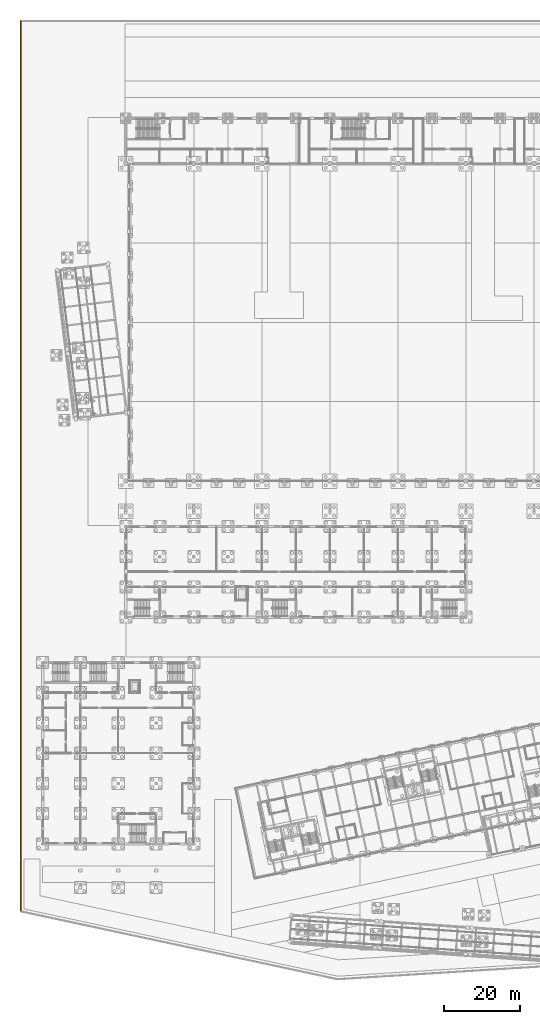
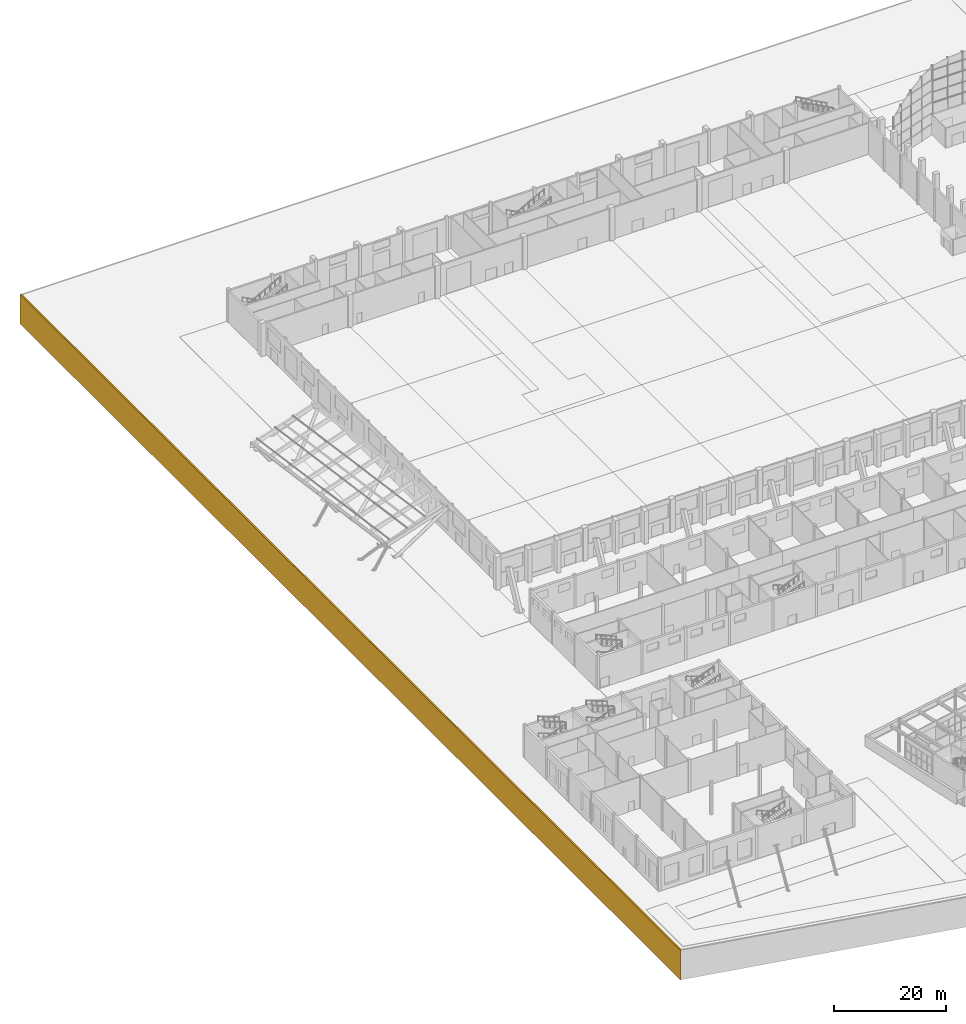
# One storey, part 225 of 239: 1 covering.
"""IFC4 building model written with IfcOpenShell, lengths in metres."""

from ifc_helpers import new_model, si_unit, direction, frame, origin, place, context, subcontext, project, spatial, polyline, outline, extrude, material, layer, layer_set, type_object, element, save


model = new_model("IFC4")

# Units and contexts
model_context = context("Model", 3, precision=1e-05, world=origin(), true_north=direction((0.0, 1.0)))
body_context = subcontext(model_context, "Body", "Model", "MODEL_VIEW")
ifc_project = project(units=[si_unit("LENGTHUNIT", "METRE"), si_unit("AREAUNIT", "SQUARE_METRE"), si_unit("VOLUMEUNIT", "CUBIC_METRE"), si_unit("PLANEANGLEUNIT", "RADIAN"), si_unit("MASSUNIT", "GRAM", prefix="KILO")], contexts=[model_context])

# Site, building, storey
site_placement = place(None, origin())
site = spatial("IfcSite", under=ifc_project, at=site_placement, CompositionType="ELEMENT")
building_placement = place(site_placement, origin())
building = spatial("IfcBuilding", under=site, at=building_placement, Name="Okhra Congress Centre", CompositionType="ELEMENT")
storey_placement = place(building_placement, origin())
storey = spatial("IfcBuildingStorey", under=building, at=storey_placement, Name="L00", CompositionType="ELEMENT", Elevation=0.0)

# Covering
ifc_material = material(Name="Compacted engineered fill face with geotextile and turf")
ifc_layer = layer(ifc_material, 0.300048828125)
ifc_layer_set = layer_set([ifc_layer], Name="Site ground edge (engineered fill face)")
covering_type = type_object("IfcCoveringType", Name="Site ground edge (engineered fill face)", PredefinedType="USERDEFINED", material=ifc_layer_set)
covering_placement = place(storey_placement, frame((0.0, 0.0, -6.5)))
element("IfcCovering", 1, at=covering_placement, inside=storey, type_object=covering_type, Name="Site ground edge (engineered fill face) 1", ObjectType="Site ground edge (engineered fill face)", PredefinedType="USERDEFINED", context=body_context, shape_type="SweptSolid", body=[
    extrude(outline(polyline([(0.0, 254.0), (0.0, 18.0), (0.300048828125, 18.242431640625), (0.300048828125, 253.699951171875), (0.0, 254.0)])), origin(), (0.0, 0.0, 1.0), 6.449951171875),
])

save(model, "model.ifc")
